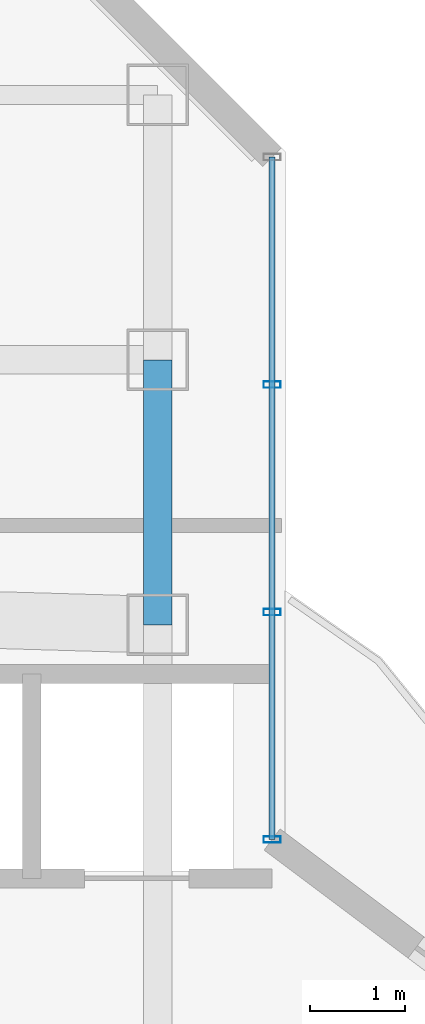
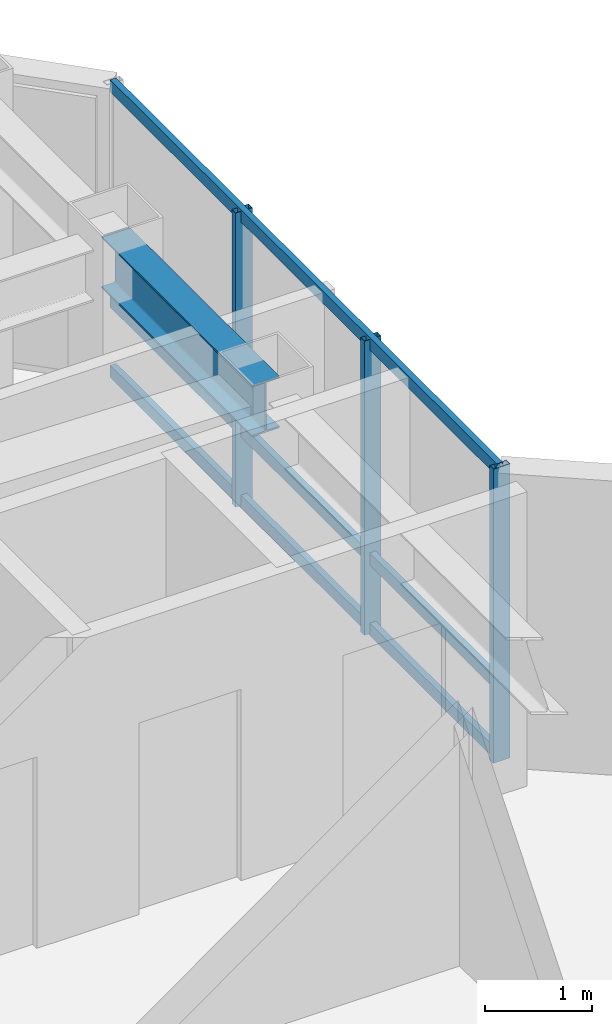
# One storey, part 9 of 18: 6 members, 1 beam, 1 element without a shape of its own.
"""IFC4 building model written with IfcOpenShell, lengths in metres."""

from ifc_helpers import new_model, si_unit, direction, frame, origin, origin_2d, place, context, subcontext, project, spatial, hollow_rectangle, i_section, extrude, material, layer, layer_set, material_profile, profile_set, type_object, element, aggregate, save


model = new_model("IFC4")

# Units and contexts
model_context = context("Model", 3, precision=1e-05, world=origin(), true_north=direction((0.0, 1.0)))
body_context = subcontext(model_context, "Body", "Model", "MODEL_VIEW")
ifc_project = project(units=[si_unit("LENGTHUNIT", "METRE"), si_unit("AREAUNIT", "SQUARE_METRE"), si_unit("VOLUMEUNIT", "CUBIC_METRE"), si_unit("PLANEANGLEUNIT", "RADIAN"), si_unit("MASSUNIT", "GRAM", prefix="KILO")], contexts=[model_context])

# Site, building, storey
site_placement = place(None, origin())
site = spatial("IfcSite", under=ifc_project, at=site_placement, CompositionType="ELEMENT")
building_placement = place(site_placement, origin())
building = spatial("IfcBuilding", under=site, at=building_placement, Name="Hatsunagi Terrace Concourse", CompositionType="ELEMENT")
storey_placement = place(building_placement, frame((0.0, 0.0, 250.35009765625)))
storey = spatial("IfcBuildingStorey", under=building, at=storey_placement, Name="L66", CompositionType="ELEMENT", Elevation=250.35009765625)

# Curtain wall, members
ifc_material_1 = material(Name="Anodised Aluminium Alloy 6063-T5", Category="aluminium")
ifc_layer = layer(ifc_material_1, 0.199951171875)
ifc_layer_set = layer_set([ifc_layer], Name="OfficeZone2_CW04")
curtain_wall_type = type_object("IfcCurtainWallType", Name="OfficeZone2_CW04", PredefinedType="NOTDEFINED", material=ifc_layer_set)
curtain_wall_placement = place(storey_placement, origin())
curtain_wall = element("IfcCurtainWall", 1, at=curtain_wall_placement, inside=storey, type_object=curtain_wall_type, Name="Unitised Curtain Wall CW-04 CW-L66-12", PredefinedType="NOTDEFINED")
ifc_material_2 = material(Name="Anodised Aluminium Alloy 6063-T5", Category="aluminium")
ifc_material_profile_1 = material_profile(ifc_material_2, hollow_rectangle(XDim=0.070068359375, YDim=0.179931640625, WallThickness=0.00390625, at=origin_2d()), Name="ALU-MUL-180x70x4")
ifc_profile_set_1 = profile_set([ifc_material_profile_1], Name="Anodised Aluminium Alloy 6063-T5")
member_type_1 = type_object("IfcMemberType", Name="CurtainWallMullion_180x70", PredefinedType="MULLION", material=ifc_profile_set_1)
member_1_placement = place(storey_placement, frame((44.860107421875, 45.5380859375, 0.0), z_axis=(0.0, 0.0, 1.0), x_axis=(0.0, -1.0, 0.0)))
member_1 = element("IfcMember", 2, at=member_1_placement, type_object=member_type_1, Name="Curtain Wall Mullion MUL-02", PredefinedType="MULLION", context=body_context, shape_type="SweptSolid", body=[
    extrude(hollow_rectangle(XDim=0.070068359375, YDim=0.179931640625, WallThickness=0.00390625, at=origin_2d()), origin(), (0.0, 0.0, 1.0), 3.349853515625),
])
member_2_placement = place(storey_placement, frame((44.860107421875, 43.134033203125, 0.0), z_axis=(0.0, 0.0, 1.0), x_axis=(0.0, -1.0, 0.0)))
member_2 = element("IfcMember", 3, at=member_2_placement, type_object=member_type_1, Name="Curtain Wall Mullion MUL-02", PredefinedType="MULLION", context=body_context, shape_type="SweptSolid", body=[
    extrude(hollow_rectangle(XDim=0.070068359375, YDim=0.179931640625, WallThickness=0.00390625, at=origin_2d()), origin(), (0.0, 0.0, 1.0), 3.349853515625),
])
member_3_placement = place(storey_placement, frame((44.860107421875, 40.72998046875, 0.0), z_axis=(0.0, 0.0, 1.0), x_axis=(0.0, -1.0, 0.0)))
member_3 = element("IfcMember", 4, at=member_3_placement, type_object=member_type_1, Name="Curtain Wall Mullion MUL-02", PredefinedType="MULLION", context=body_context, shape_type="SweptSolid", body=[
    extrude(hollow_rectangle(XDim=0.070068359375, YDim=0.179931640625, WallThickness=0.00390625, at=origin_2d()), origin(), (0.0, 0.0, 1.0), 3.349853515625),
])
ifc_material_3 = material(Name="Anodised Aluminium Alloy 6063-T5", Category="aluminium")
ifc_material_profile_2 = material_profile(ifc_material_3, hollow_rectangle(XDim=0.06494140625, YDim=0.139892578125, WallThickness=0.00390625, at=origin_2d()), Name="ALU-TRN-140x65x4")
ifc_profile_set_2 = profile_set([ifc_material_profile_2], Name="Anodised Aluminium Alloy 6063-T5")
member_type_2 = type_object("IfcMemberType", Name="CurtainWallTransom_140x65", PredefinedType="USERDEFINED", material=ifc_profile_set_2)
member_4_placement = place(storey_placement, frame((44.860107421875, 47.94189453125, 0.0498046875), z_axis=(0.0, -1.0, 0.0), x_axis=(1.0, 0.0, 0.0)))
member_4 = element("IfcMember", 5, at=member_4_placement, type_object=member_type_2, Name="Curtain Wall Transom TRN-02", ObjectType="TRANSOM", PredefinedType="USERDEFINED", context=body_context, shape_type="SweptSolid", body=[
    extrude(hollow_rectangle(XDim=0.06494140625, YDim=0.139892578125, WallThickness=0.00390625, at=origin_2d()), origin(), (0.0, 0.0, 1.0), 7.2119140625),
])
member_5_placement = place(storey_placement, frame((44.860107421875, 47.94189453125, 0.849853515625), z_axis=(0.0, -1.0, 0.0), x_axis=(1.0, 0.0, 0.0)))
member_5 = element("IfcMember", 6, at=member_5_placement, type_object=member_type_2, Name="Curtain Wall Transom TRN-02", ObjectType="TRANSOM", PredefinedType="USERDEFINED", context=body_context, shape_type="SweptSolid", body=[
    extrude(hollow_rectangle(XDim=0.06494140625, YDim=0.139892578125, WallThickness=0.00390625, at=origin_2d()), origin(), (0.0, 0.0, 1.0), 7.2119140625),
])
member_6_placement = place(storey_placement, frame((44.860107421875, 47.94189453125, 3.2998046875), z_axis=(0.0, -1.0, 0.0), x_axis=(1.0, 0.0, 0.0)))
member_6 = element("IfcMember", 7, at=member_6_placement, type_object=member_type_2, Name="Curtain Wall Transom TRN-02", ObjectType="TRANSOM", PredefinedType="USERDEFINED", context=body_context, shape_type="SweptSolid", body=[
    extrude(hollow_rectangle(XDim=0.06494140625, YDim=0.139892578125, WallThickness=0.00390625, at=origin_2d()), origin(), (0.0, 0.0, 1.0), 7.2119140625),
])
aggregate(curtain_wall, [member_1, member_2, member_3, member_4, member_5, member_6])

# Beam
ifc_material_4 = material(Name="Steel SN490B", Category="steel")
ifc_material_profile_3 = material_profile(ifc_material_4, i_section(OverallWidth=0.300048828125, OverallDepth=0.587890625, WebThickness=0.011962890625, FlangeThickness=0.02001953125, FilletRadius=0.01806640625, at=origin_2d()), Name="H-588x300x12x20")
ifc_profile_set_3 = profile_set([ifc_material_profile_3], Name="Steel SN490B")
beam_type = type_object("IfcBeamType", Name="OfficeHighGirder_H_588x300", PredefinedType="BEAM", material=ifc_profile_set_3)
beam_placement = place(storey_placement, frame((43.64990234375, 43.0, 3.055908203125), z_axis=(0.0, 1.0, 0.0), x_axis=(-1.0, 0.0, 0.0)))
element("IfcBeam", 8, at=beam_placement, inside=storey, type_object=beam_type, Name="Beam G-06 BM-L66-CN3", PredefinedType="BEAM", context=body_context, shape_type="SweptSolid", body=[
    extrude(i_section(OverallWidth=0.300048828125, OverallDepth=0.587890625, WebThickness=0.011962890625, FlangeThickness=0.02001953125, FilletRadius=0.01806640625, at=origin_2d()), origin(), (0.0, 0.0, 1.0), 2.800048828125),
])

save(model, "model.ifc")
